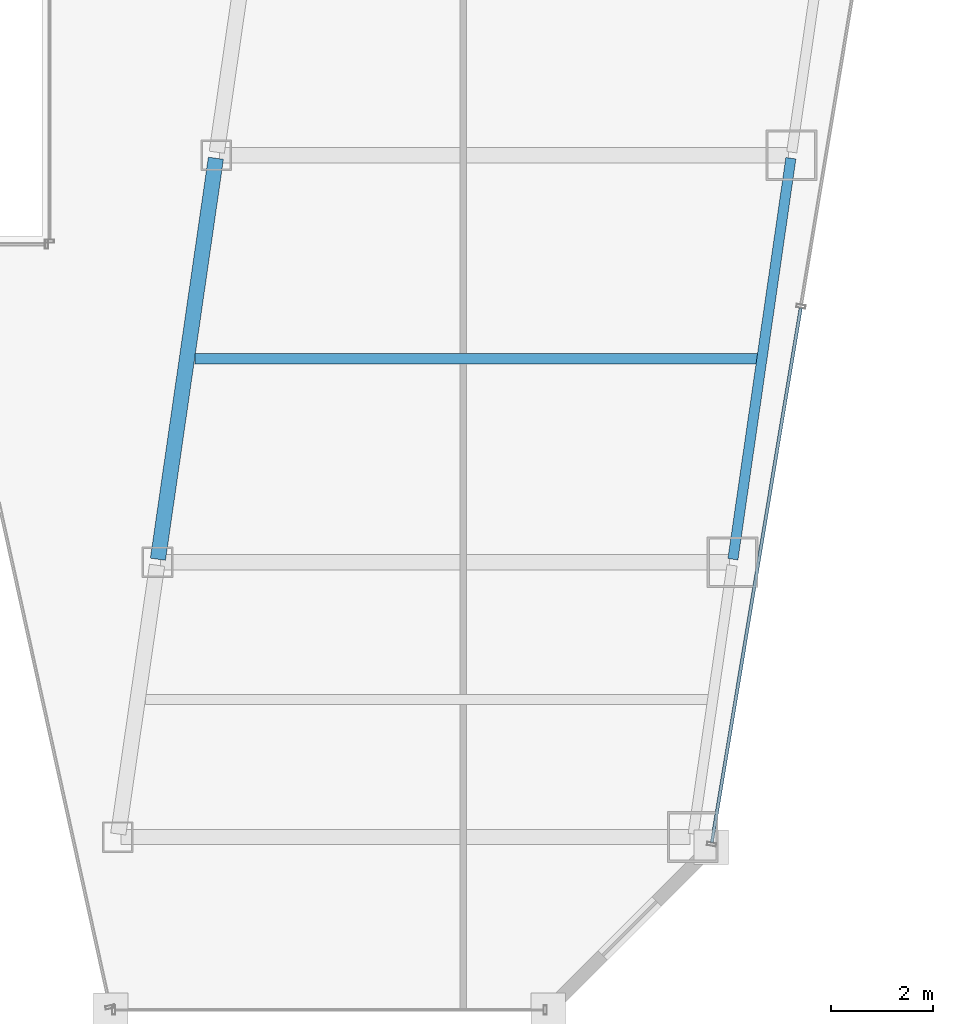
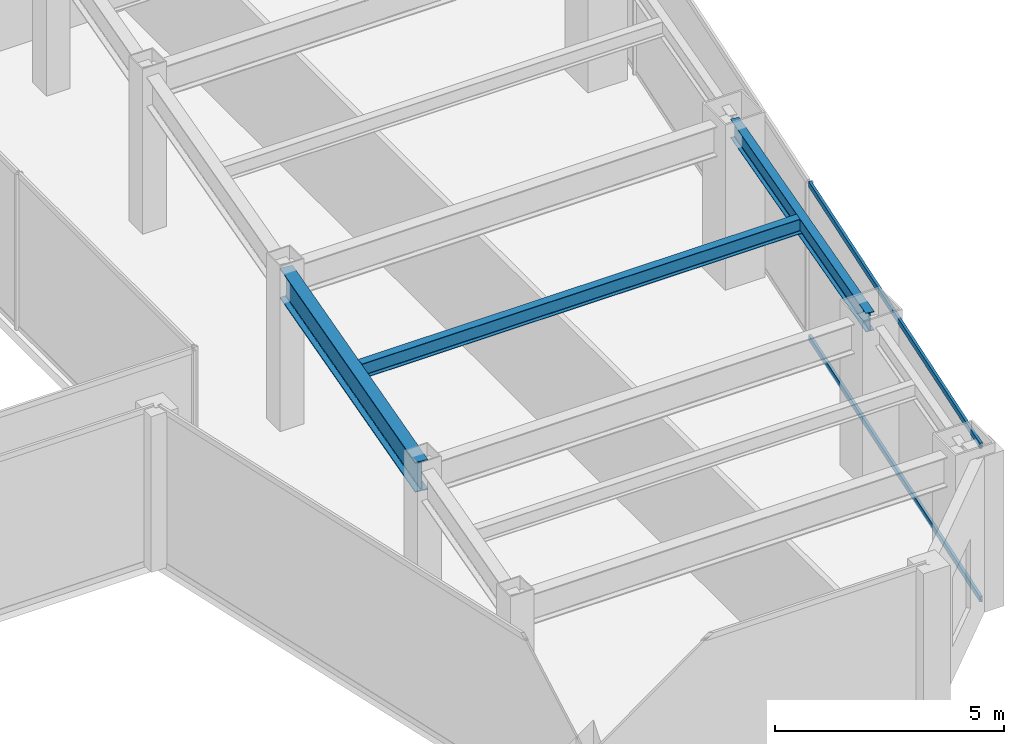
# One storey, part 16 of 37: 3 beams, 2 members, 1 element without a shape of its own.
"""IFC4 building model written with IfcOpenShell, lengths in metres."""

from ifc_helpers import new_model, si_unit, direction, frame, origin, origin_2d, place, context, subcontext, project, spatial, hollow_rectangle, i_section, extrude, material, material_profile, profile_set, type_object, element, aggregate, save


model = new_model("IFC4")

# Units and contexts
model_context = context("Model", 3, precision=1e-05, world=origin(), true_north=direction((0.0, 1.0)))
body_context = subcontext(model_context, "Body", "Model", "MODEL_VIEW")
ifc_project = project(units=[si_unit("LENGTHUNIT", "METRE"), si_unit("AREAUNIT", "SQUARE_METRE"), si_unit("VOLUMEUNIT", "CUBIC_METRE"), si_unit("PLANEANGLEUNIT", "RADIAN"), si_unit("MASSUNIT", "GRAM", prefix="KILO")], contexts=[model_context])

# Site, building, storey
site_placement = place(None, origin())
site = spatial("IfcSite", under=ifc_project, at=site_placement, CompositionType="ELEMENT")
building_placement = place(site_placement, origin())
building = spatial("IfcBuilding", under=site, at=building_placement, Name="Saevonmaru Cultural Tower", CompositionType="ELEMENT")
storey_placement = place(building_placement, frame((0.0, 0.0, 110.39990234375)))
storey = spatial("IfcBuildingStorey", under=building, at=storey_placement, Name="L23", CompositionType="ELEMENT", Elevation=110.39990234375)

# Beams
ifc_material_1 = material(Name="Steel SM420", Category="steel")
ifc_material_profile_1 = material_profile(ifc_material_1, i_section(OverallWidth=0.300048828125, OverallDepth=0.800048828125, WebThickness=0.013916015625, FlangeThickness=0.02587890625, FilletRadius=0.028076171875, at=origin_2d()), Name="H-800x300x14x26")
ifc_profile_set_1 = profile_set([ifc_material_profile_1], Name="Steel SM420")
beam_type_1 = type_object("IfcBeamType", Name="BM-G-H800", PredefinedType="BEAM", material=ifc_profile_set_1)
beam_1_placement = place(storey_placement, frame((38.08056640625, 16.059326171875, 3.75), z_axis=(0.143022161059, 0.989719486241, 0.0), x_axis=(-0.989719486241, 0.143022161059, 0.0)))
element("IfcBeam", 1, at=beam_1_placement, inside=storey, type_object=beam_type_1, Name="L23 East Atrium Girder 2", PredefinedType="BEAM", context=body_context, shape_type="SweptSolid", body=[
    extrude(i_section(OverallWidth=0.300048828125, OverallDepth=0.800048828125, WebThickness=0.013916015625, FlangeThickness=0.02587890625, FilletRadius=0.028076171875, at=origin_2d()), origin(), (0.0, 0.0, 1.0), 7.963134765625),
])
ifc_material_2 = material(Name="Steel SM355", Category="steel")
ifc_material_profile_2 = material_profile(ifc_material_2, i_section(OverallWidth=0.199951171875, OverallDepth=0.39990234375, WebThickness=0.008056640625, FlangeThickness=0.012939453125, FilletRadius=0.01611328125, at=origin_2d()), Name="H-400x200x8x13")
ifc_profile_set_2 = profile_set([ifc_material_profile_2], Name="Steel SM355")
beam_type_2 = type_object("IfcBeamType", Name="BM-J-H400", PredefinedType="JOIST", material=ifc_profile_set_2)
beam_2_placement = place(storey_placement, frame((38.80810546875, 20.0, 3.9501953125), z_axis=(1.0, 0.0, 0.0), x_axis=(0.0, 1.0, 0.0)))
element("IfcBeam", 2, at=beam_2_placement, inside=storey, type_object=beam_type_2, Name="L23 East Wing Floor Joist 2", PredefinedType="JOIST", context=body_context, shape_type="SweptSolid", body=[
    extrude(i_section(OverallWidth=0.199951171875, OverallDepth=0.39990234375, WebThickness=0.008056640625, FlangeThickness=0.012939453125, FilletRadius=0.01611328125, at=origin_2d()), origin(), (0.0, 0.0, 1.0), 11.081787109375),
])
ifc_material_profile_3 = material_profile(ifc_material_2, i_section(OverallWidth=0.199951171875, OverallDepth=0.5, WebThickness=0.010009765625, FlangeThickness=0.01611328125, FilletRadius=0.02001953125, at=origin_2d()), Name="H-500x200x10x16")
ifc_profile_set_3 = profile_set([ifc_material_profile_3], Name="Steel SM355")
beam_type_3 = type_object("IfcBeamType", Name="BM-SP-H500", PredefinedType="SPANDREL", material=ifc_profile_set_3)
beam_3_placement = place(storey_placement, frame((49.380615234375, 16.059326171875, 3.900146484375), z_axis=(0.142992129437, 0.989723825579, 0.0), x_axis=(-0.989723825579, 0.142992129437, 0.0)))
element("IfcBeam", 3, at=beam_3_placement, inside=storey, type_object=beam_type_3, Name="L23 East Splayed Spandrel 2", PredefinedType="SPANDREL", context=body_context, shape_type="SweptSolid", body=[
    extrude(i_section(OverallWidth=0.199951171875, OverallDepth=0.5, WebThickness=0.010009765625, FlangeThickness=0.01611328125, FilletRadius=0.02001953125, at=origin_2d()), origin(), (0.0, 0.0, 1.0), 7.963134765625),
])

# Curtain wall, members
ifc_material_3 = material(Name="Satin Bronze Anodised Aluminium", Category="aluminium")
curtain_wall_type = type_object("IfcCurtainWallType", Name="CW-TYP-A", PredefinedType="NOTDEFINED", material=ifc_material_3)
curtain_wall_placement = place(storey_placement, origin())
curtain_wall = element("IfcCurtainWall", 4, at=curtain_wall_placement, inside=storey, type_object=curtain_wall_type, Name="L23 Unitised Curtain Wall E8", PredefinedType="NOTDEFINED")
ifc_material_profile_4 = material_profile(ifc_material_3, hollow_rectangle(XDim=0.06494140625, YDim=0.14990234375, WallThickness=0.00390625, at=origin_2d()), Name="ALU-TRAN-150x65x4")
ifc_profile_set_4 = profile_set([ifc_material_profile_4], Name="Satin Bronze Anodised Aluminium")
member_type = type_object("IfcMemberType", Name="TR-CW-150x65", PredefinedType="USERDEFINED", material=ifc_profile_set_4)
member_1_placement = place(storey_placement, frame((48.96630859375, 10.4912109375, 0.03271484375), z_axis=(0.163990079074, 0.9864619881, 0.0), x_axis=(-0.9864619881, 0.163990079074, 0.0)))
member_1 = element("IfcMember", 5, at=member_1_placement, type_object=member_type, Name="CW-TW-L23-E8 transom 1.1", ObjectType="TRANSOM", PredefinedType="USERDEFINED", context=body_context, shape_type="SweptSolid", body=[
    extrude(hollow_rectangle(XDim=0.06494140625, YDim=0.14990234375, WallThickness=0.00390625, at=origin_2d()), origin(), (0.0, 0.0, 1.0), 10.650634765625),
])
member_2_placement = place(storey_placement, frame((48.96630859375, 10.4912109375, 4.11767578125), z_axis=(0.163990079074, 0.9864619881, 0.0), x_axis=(-0.9864619881, 0.163990079074, 0.0)))
member_2 = element("IfcMember", 6, at=member_2_placement, type_object=member_type, Name="CW-TW-L23-E8 transom 1.2", ObjectType="TRANSOM", PredefinedType="USERDEFINED", context=body_context, shape_type="SweptSolid", body=[
    extrude(hollow_rectangle(XDim=0.06494140625, YDim=0.14990234375, WallThickness=0.00390625, at=origin_2d()), origin(), (0.0, 0.0, 1.0), 10.650634765625),
])
aggregate(curtain_wall, [member_1, member_2])

save(model, "model.ifc")
